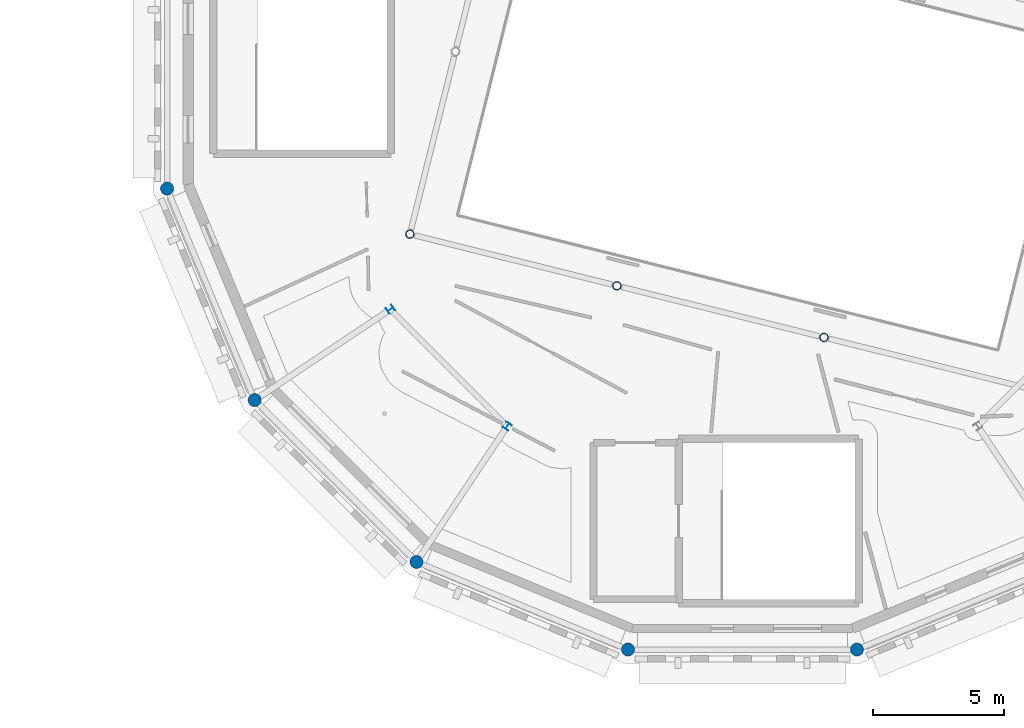
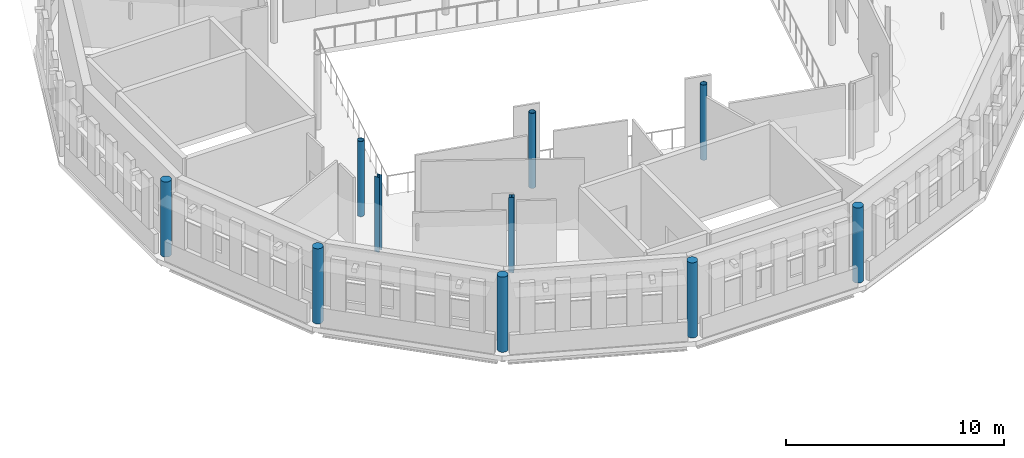
# One storey, part 10 of 68: 10 columns.
"""IFC4 building model written with IfcOpenShell, lengths in metres."""

from ifc_helpers import new_model, si_unit, direction, frame, origin, origin_2d, place, context, subcontext, project, spatial, circle, hollow_circle, i_section, extrude, material, material_profile, profile_set, type_object, element, save


model = new_model("IFC4")

# Units and contexts
model_context = context("Model", 3, precision=1e-05, world=origin(), true_north=direction((0.0, 1.0)))
body_context = subcontext(model_context, "Body", "Model", "MODEL_VIEW")
ifc_project = project(units=[si_unit("LENGTHUNIT", "METRE"), si_unit("AREAUNIT", "SQUARE_METRE"), si_unit("VOLUMEUNIT", "CUBIC_METRE"), si_unit("PLANEANGLEUNIT", "RADIAN"), si_unit("MASSUNIT", "GRAM", prefix="KILO")], contexts=[model_context])

# Site, building, storey
site_placement = place(None, origin())
site = spatial("IfcSite", under=ifc_project, at=site_placement, CompositionType="ELEMENT")
building_placement = place(site_placement, origin())
building = spatial("IfcBuilding", under=site, at=building_placement, Name="Wrenclough Park School", CompositionType="ELEMENT")
storey_placement = place(building_placement, frame((0.0, 0.0, 12.60009765625)))
storey = spatial("IfcBuildingStorey", under=building, at=storey_placement, Name="L03", CompositionType="ELEMENT", Elevation=12.60009765625)

# Columns
ifc_material_1 = material(Name="Structural steel S355", Category="steel")
ifc_material_profile_1 = material_profile(ifc_material_1, hollow_circle(Radius=0.161865234375, WallThickness=0.01611328125, at=origin_2d()), Name="CHS 323.9x16.0")
ifc_profile_set_1 = profile_set([ifc_material_profile_1], Name="Structural steel S355")
column_type_1 = type_object("IfcColumnType", Name="STR-COL-CHS324", PredefinedType="COLUMN", material=ifc_profile_set_1)
for number, where, z_axis, x_axis, name in (
    (1, (142.77197265625, 20.37744140625, 0.0), (0.0, 0.0, 1.0), (0.970295726276, -0.2419218956, 0.0), "D1 L03 column D1HR-0-0"),
    (2, (150.696044921875, 18.401611328125, 0.0), (0.0, 0.0, 1.0), (0.970295726276, -0.2419218956, 0.0), "D1 L03 column D1HR-1-0"),
    (3, (158.6201171875, 16.426025390625, 0.0), (0.0, 0.0, 1.0), (0.970295726276, -0.2419218956, 0.0), "D1 L03 column D1HR-2-0"),
):
    element("IfcColumn", number, at=place(storey_placement, frame(where, z_axis=z_axis, x_axis=x_axis)), inside=storey, type_object=column_type_1, Name=name, PredefinedType="COLUMN", context=body_context, shape_type="SweptSolid", body=[
        extrude(hollow_circle(Radius=0.161865234375, WallThickness=0.01611328125, at=origin_2d()), origin(), (0.0, 0.0, 1.0), 4.199951171875),
    ])
ifc_material_2 = material(Name="Concrete C40/50", Category="concrete")
ifc_material_profile_2 = material_profile(ifc_material_2, circle(Radius=0.25, at=origin_2d()), Name="RC COL D500")
ifc_profile_set_2 = profile_set([ifc_material_profile_2], Name="Concrete C40/50")
column_type_2 = type_object("IfcColumnType", Name="STR-COL-RCD500", PredefinedType="COLUMN", material=ifc_profile_set_2)
for number, where, z_axis, x_axis, name in (
    (4, (133.4814453125, 22.1201171875, 0.0), (0.0, 0.0, 1.0), (0.195090322016, -0.980785280403, 0.0), "D1 L03 column D1-OUT-09"),
    (5, (136.83349609375, 14.02734375, 0.0), (0.0, 0.0, 1.0), (0.55557023302, -0.831469612303, 0.0), "D1 L03 column D1-OUT-10"),
    (6, (143.02734375, 7.83349609375, 0.0), (0.0, 0.0, 1.0), (0.831469612303, -0.55557023302, 0.0), "D1 L03 column D1-OUT-11"),
    (7, (151.1201171875, 4.4814453125, 0.0), (0.0, 0.0, 1.0), (0.980785280403, -0.195090322016, 0.0), "D1 L03 column D1-OUT-12"),
    (8, (159.8798828125, 4.4814453125, 0.0), (0.0, 0.0, 1.0), (0.980785280403, 0.195090322016, 0.0), "D1 L03 column D1-OUT-13"),
):
    element("IfcColumn", number, at=place(storey_placement, frame(where, z_axis=z_axis, x_axis=x_axis)), inside=storey, type_object=column_type_2, Name=name, PredefinedType="COLUMN", context=body_context, shape_type="SweptSolid", body=[
        extrude(circle(Radius=0.25, at=origin_2d()), origin(), (0.0, 0.0, 1.0), 4.199951171875),
    ])
ifc_material_profile_3 = material_profile(ifc_material_1, i_section(OverallWidth=0.254638671875, OverallDepth=0.254150390625, WebThickness=0.008544921875, FlangeThickness=0.01416015625, FilletRadius=0.0126953125, at=origin_2d()), Name="UKC 254x254x73")
ifc_profile_set_3 = profile_set([ifc_material_profile_3], Name="Structural steel S355")
column_type_3 = type_object("IfcColumnType", Name="STR-COL-UKC254A", PredefinedType="COLUMN", material=ifc_profile_set_3)
for number, where, z_axis, x_axis, name in (
    (9, (142.0302734375, 17.499755859375, 0.0), (0.0, 0.0, 1.0), (0.55557023302, -0.831469612303, 0.0), "D1 L03 column D1-MID-10"),
    (10, (146.499755859375, 13.0302734375, 0.0), (0.0, 0.0, 1.0), (0.831469612303, -0.55557023302, 0.0), "D1 L03 column D1-MID-11"),
):
    element("IfcColumn", number, at=place(storey_placement, frame(where, z_axis=z_axis, x_axis=x_axis)), inside=storey, type_object=column_type_3, Name=name, PredefinedType="COLUMN", context=body_context, shape_type="SweptSolid", body=[
        extrude(i_section(OverallWidth=0.254638671875, OverallDepth=0.254150390625, WebThickness=0.008544921875, FlangeThickness=0.01416015625, FilletRadius=0.0126953125, at=origin_2d()), origin(), (0.0, 0.0, 1.0), 4.199951171875),
    ])

save(model, "model.ifc")
